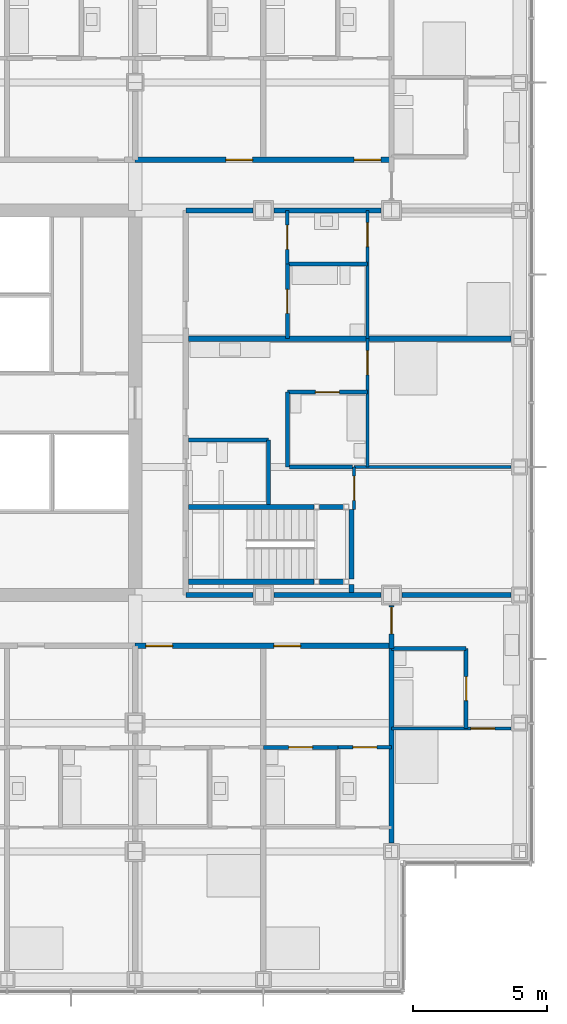
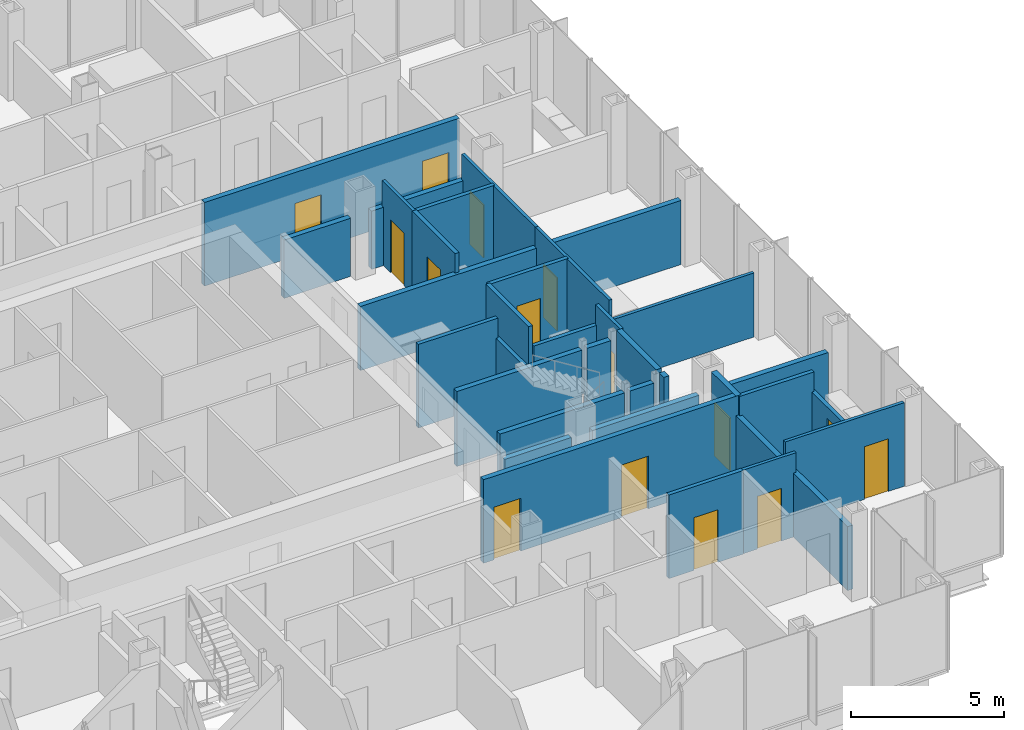
# One storey, part 17 of 22: 33 walls, 15 doors, 15 openings.
"""IFC4 building model written with IfcOpenShell, lengths in metres."""

from ifc_helpers import new_model, si_unit, direction, frame, frame_2d, origin, place, context, subcontext, project, spatial, rectangle, extrude, material, layer, layer_set, type_object, element, fill, save


model = new_model("IFC4")

# Units and contexts
model_context = context("Model", 3, precision=1e-05, world=origin(), true_north=direction((0.0, 1.0)))
body_context = subcontext(model_context, "Body", "Model", "MODEL_VIEW")
ifc_project = project(units=[si_unit("LENGTHUNIT", "METRE"), si_unit("AREAUNIT", "SQUARE_METRE"), si_unit("VOLUMEUNIT", "CUBIC_METRE"), si_unit("PLANEANGLEUNIT", "RADIAN"), si_unit("MASSUNIT", "GRAM", prefix="KILO")], contexts=[model_context])

# Site, building, storey
site_placement = place(None, origin())
site = spatial("IfcSite", under=ifc_project, at=site_placement, CompositionType="ELEMENT")
building_placement = place(site_placement, origin())
building = spatial("IfcBuilding", under=site, at=building_placement, Name="Kvirike Care Tower", CompositionType="ELEMENT")
storey_placement = place(building_placement, frame((0.0, 0.0, 72.5)))
storey = spatial("IfcBuildingStorey", under=building, at=storey_placement, Name="L19", CompositionType="ELEMENT", Elevation=72.5)

# Wall, opening, door
ifc_material_1 = material(Name="Moisture-resistant board partition", Category="gypsum")
ifc_layer_1 = layer(ifc_material_1, 0.14990234375)
ifc_layer_set_1 = layer_set([ifc_layer_1], Name="BATHROOM WALL 150")
wall_type_1 = type_object("IfcWallType", Name="BATHROOM WALL 150", PredefinedType="PARTITIONING", material=ifc_layer_set_1)
wall_1_placement = place(storey_placement, frame((33.60009765625, 23.10009765625, 0.0), z_axis=(0.0, 0.0, 1.0), x_axis=(1.0, 0.0, 0.0)))
wall_1 = element("IfcWall", 1, at=wall_1_placement, inside=storey, type_object=wall_type_1, Name="Bathroom Wall 150 L19", PredefinedType="PARTITIONING", context=body_context, shape_type="SweptSolid", body=[
    extrude(rectangle(XDim=2.7998046875, YDim=0.14990234375, at=frame_2d((1.39990234375, 0.0))), origin(), (0.0, 0.0, 1.0), 3.330078125),
])
opening_1_placement = place(wall_1_placement, frame((0.949951171875, 0.0, 0.0)))
opening_1 = element("IfcOpeningElement", 2, at=opening_1_placement, cuts=wall_1, Name="Opening 19-058", PredefinedType="OPENING", context=body_context, shape_type="SweptSolid", body=[
    extrude(rectangle(XDim=0.89990234375, YDim=2.10009765625, at=frame_2d((0.449951171875, 1.050048828125))), frame((0.0, 0.08544921875, 0.0), z_axis=(0.0, -1.0, 0.0), x_axis=(1.0, 0.0, 0.0)), (0.0, 0.0, 1.0), 0.1708984375),
])
ifc_material_2 = material(Name="Timber door set", Category="wood")
door_type_1 = type_object("IfcDoorType", Name="BATHROOM DOOR 900", OperationType="SINGLE_SWING_RIGHT", PredefinedType="DOOR", material=ifc_material_2)
door_1_placement = place(opening_1_placement, frame((0.89990234375, 0.0, 0.0), z_axis=(0.0, 0.0, 1.0), x_axis=(-1.0, 0.0, 0.0)))
door_1 = element("IfcDoor", 3, at=door_1_placement, inside=storey, type_object=door_type_1, Name="Bathroom door", OperationType="SINGLE_SWING_LEFT", OverallHeight=2.10009765625, OverallWidth=0.89990234375, PredefinedType="DOOR", context=body_context, shape_type="SweptSolid", body=[
    extrude(rectangle(XDim=0.89990234375, YDim=2.10009765625, at=frame_2d((0.449951171875, 1.050048828125))), frame((0.0, 0.02197265625, 0.0), z_axis=(0.0, -1.0, 0.0), x_axis=(1.0, 0.0, 0.0)), (0.0, 0.0, 1.0), 0.0439453125),
])
fill(opening_1, door_1)

wall_2_placement = place(storey_placement, frame((41.199951171875, 23.800048828125, 0.0), z_axis=(0.0, 0.0, 1.0), x_axis=(0.0, 1.0, 0.0)))
wall_2 = element("IfcWall", 4, at=wall_2_placement, inside=storey, type_object=wall_type_1, Name="Bathroom Wall 150 L19", PredefinedType="PARTITIONING", context=body_context, shape_type="SweptSolid", body=[
    extrude(rectangle(XDim=3.0, YDim=0.14990234375, at=frame_2d((1.5, 0.0))), origin(), (0.0, 0.0, 1.0), 2.550048828125),
])
opening_2_placement = place(wall_2_placement, frame((1.050048828125, 0.0, 0.0)))
opening_2 = element("IfcOpeningElement", 5, at=opening_2_placement, cuts=wall_2, Name="Opening 19-061", PredefinedType="OPENING", context=body_context, shape_type="SweptSolid", body=[
    extrude(rectangle(XDim=0.89990234375, YDim=2.10009765625, at=frame_2d((0.449951171875, 1.050048828125))), frame((0.0, 0.08544921875, 0.0), z_axis=(0.0, -1.0, 0.0), x_axis=(1.0, 0.0, 0.0)), (0.0, 0.0, 1.0), 0.1708984375),
])
door_2_placement = place(opening_2_placement, origin())
door_2 = element("IfcDoor", 6, at=door_2_placement, inside=storey, type_object=door_type_1, Name="Bathroom door", OperationType="SINGLE_SWING_RIGHT", OverallHeight=2.10009765625, OverallWidth=0.89990234375, PredefinedType="DOOR", context=body_context, shape_type="SweptSolid", body=[
    extrude(rectangle(XDim=0.89990234375, YDim=2.10009765625, at=frame_2d((0.449951171875, 1.050048828125))), frame((0.0, 0.02197265625, 0.0), z_axis=(0.0, -1.0, 0.0), x_axis=(1.0, 0.0, 0.0)), (0.0, 0.0, 1.0), 0.0439453125),
])
fill(opening_2, door_2)

# Walls
wall_3_placement = place(storey_placement, frame((38.39990234375, 26.800048828125, 0.0), z_axis=(0.0, 0.0, 1.0), x_axis=(1.0, 0.0, 0.0)))
element("IfcWall", 7, at=wall_3_placement, inside=storey, type_object=wall_type_1, Name="Bathroom Wall 150 L19", PredefinedType="PARTITIONING", context=body_context, shape_type="SweptSolid", body=[
    extrude(rectangle(XDim=2.800048828125, YDim=0.14990234375, at=frame_2d((1.39990234375, 0.0))), origin(), (0.0, 0.0, 1.0), 3.330078125),
])
wall_4_placement = place(storey_placement, frame((33.800048828125, 32.199951171875, 0.0), z_axis=(0.0, 0.0, 1.0), x_axis=(0.0, 1.0, 0.0)))
element("IfcWall", 8, at=wall_4_placement, inside=storey, type_object=wall_type_1, Name="Bathroom Wall 150 L19", PredefinedType="PARTITIONING", context=body_context, shape_type="SweptSolid", body=[
    extrude(rectangle(XDim=2.400146484375, YDim=0.14990234375, at=frame_2d((1.2001953125, 0.0))), origin(), (0.0, 0.0, 1.0), 2.550048828125),
])
wall_5_placement = place(storey_placement, frame((33.800048828125, 34.60009765625, 0.0), z_axis=(0.0, 0.0, 1.0), x_axis=(-1.0, 0.0, 0.0)))
element("IfcWall", 9, at=wall_5_placement, inside=storey, type_object=wall_type_1, Name="Bathroom Wall 150 L19", PredefinedType="PARTITIONING", context=body_context, shape_type="SweptSolid", body=[
    extrude(rectangle(XDim=3.0, YDim=0.14990234375, at=frame_2d((1.5, 0.0))), origin(), (0.0, 0.0, 1.0), 3.330078125),
])

# Wall, opening, door
wall_6_placement = place(storey_placement, frame((37.5, 36.39990234375, 0.0), z_axis=(0.0, 0.0, 1.0), x_axis=(-1.0, 0.0, 0.0)))
wall_6 = element("IfcWall", 10, at=wall_6_placement, inside=storey, type_object=wall_type_1, Name="Bathroom Wall 150 L19", PredefinedType="PARTITIONING", context=body_context, shape_type="SweptSolid", body=[
    extrude(rectangle(XDim=3.0, YDim=0.14990234375, at=frame_2d((1.5, 0.0))), origin(), (0.0, 0.0, 1.0), 3.330078125),
])
opening_3_placement = place(wall_6_placement, frame((1.050048828125, 0.0, 0.0)))
opening_3 = element("IfcOpeningElement", 11, at=opening_3_placement, cuts=wall_6, Name="Opening 19-066", PredefinedType="OPENING", context=body_context, shape_type="SweptSolid", body=[
    extrude(rectangle(XDim=0.89990234375, YDim=2.10009765625, at=frame_2d((0.449951171875, 1.050048828125))), frame((0.0, 0.08544921875, 0.0), z_axis=(0.0, -1.0, 0.0), x_axis=(1.0, 0.0, 0.0)), (0.0, 0.0, 1.0), 0.1708984375),
])
door_3_placement = place(opening_3_placement, origin())
door_3 = element("IfcDoor", 12, at=door_3_placement, inside=storey, type_object=door_type_1, Name="Bathroom door", OperationType="SINGLE_SWING_LEFT", OverallHeight=2.10009765625, OverallWidth=0.89990234375, PredefinedType="DOOR", context=body_context, shape_type="SweptSolid", body=[
    extrude(rectangle(XDim=0.89990234375, YDim=2.10009765625, at=frame_2d((0.449951171875, 1.050048828125))), frame((0.0, 0.02197265625, 0.0), z_axis=(0.0, -1.0, 0.0), x_axis=(1.0, 0.0, 0.0)), (0.0, 0.0, 1.0), 0.0439453125),
])
fill(opening_3, door_3)

# Walls
wall_7_placement = place(storey_placement, frame((34.5, 33.60009765625, 0.0), z_axis=(0.0, 0.0, 1.0), x_axis=(0.0, 1.0, 0.0)))
element("IfcWall", 13, at=wall_7_placement, inside=storey, type_object=wall_type_1, Name="Bathroom Wall 150 L19", PredefinedType="PARTITIONING", context=body_context, shape_type="SweptSolid", body=[
    extrude(rectangle(XDim=2.7998046875, YDim=0.14990234375, at=frame_2d((1.39990234375, 0.0))), origin(), (0.0, 0.0, 1.0), 3.330078125),
])
wall_8_placement = place(storey_placement, frame((37.5, 41.199951171875, 0.0), z_axis=(0.0, 0.0, 1.0), x_axis=(-1.0, 0.0, 0.0)))
element("IfcWall", 14, at=wall_8_placement, inside=storey, type_object=wall_type_1, Name="Bathroom Wall 150 L19", PredefinedType="PARTITIONING", context=body_context, shape_type="SweptSolid", body=[
    extrude(rectangle(XDim=3.0, YDim=0.14990234375, at=frame_2d((1.5, 0.0))), origin(), (0.0, 0.0, 1.0), 3.330078125),
])

# Wall, opening, door
wall_9_placement = place(storey_placement, frame((34.5, 38.39990234375, 0.0), z_axis=(0.0, 0.0, 1.0), x_axis=(0.0, 1.0, 0.0)))
wall_9 = element("IfcWall", 15, at=wall_9_placement, inside=storey, type_object=wall_type_1, Name="Bathroom Wall 150 L19", PredefinedType="PARTITIONING", context=body_context, shape_type="SweptSolid", body=[
    extrude(rectangle(XDim=2.800048828125, YDim=0.14990234375, at=frame_2d((1.39990234375, 0.0))), origin(), (0.0, 0.0, 1.0), 3.330078125),
])
opening_4_placement = place(wall_9_placement, frame((0.949951171875, 0.0, 0.0)))
opening_4 = element("IfcOpeningElement", 16, at=opening_4_placement, cuts=wall_9, Name="Opening 19-069", PredefinedType="OPENING", context=body_context, shape_type="SweptSolid", body=[
    extrude(rectangle(XDim=0.89990234375, YDim=2.10009765625, at=frame_2d((0.449951171875, 1.050048828125))), frame((0.0, 0.08544921875, 0.0), z_axis=(0.0, -1.0, 0.0), x_axis=(1.0, 0.0, 0.0)), (0.0, 0.0, 1.0), 0.1708984375),
])
door_4_placement = place(opening_4_placement, frame((0.89990234375, 0.0, 0.0), z_axis=(0.0, 0.0, 1.0), x_axis=(-1.0, 0.0, 0.0)))
door_4 = element("IfcDoor", 17, at=door_4_placement, inside=storey, type_object=door_type_1, Name="Bathroom door", OperationType="SINGLE_SWING_LEFT", OverallHeight=2.10009765625, OverallWidth=0.89990234375, PredefinedType="DOOR", context=body_context, shape_type="SweptSolid", body=[
    extrude(rectangle(XDim=0.89990234375, YDim=2.10009765625, at=frame_2d((0.449951171875, 1.050048828125))), frame((0.0, 0.02197265625, 0.0), z_axis=(0.0, -1.0, 0.0), x_axis=(1.0, 0.0, 0.0)), (0.0, 0.0, 1.0), 0.0439453125),
])
fill(opening_4, door_4)

# Wall
wall_10_placement = place(storey_placement, frame((36.93994140625, 33.60009765625, 0.0), z_axis=(0.0, 0.0, 1.0), x_axis=(-1.0, 0.0, 0.0)))
element("IfcWall", 18, at=wall_10_placement, inside=storey, type_object=wall_type_1, Name="Bathroom Wall 150 L19", PredefinedType="PARTITIONING", context=body_context, shape_type="SweptSolid", body=[
    extrude(rectangle(XDim=2.364990234375, YDim=0.14990234375, at=frame_2d((1.1826171875, 0.0))), origin(), (0.0, 0.0, 1.0), 2.550048828125),
])

# Wall, openings, doors
ifc_material_3 = material(Name="Plasterboard corridor wall", Category="gypsum")
ifc_layer_2 = layer(ifc_material_3, 0.199951171875)
ifc_layer_set_2 = layer_set([ifc_layer_2], Name="CORRIDOR WALL 200")
wall_type_2 = type_object("IfcWallType", Name="CORRIDOR WALL 200", PredefinedType="PARTITIONING", material=ifc_layer_set_2)
wall_11_placement = place(storey_placement, frame((28.800048828125, 26.89990234375, 0.0), z_axis=(0.0, 0.0, 1.0), x_axis=(1.0, 0.0, 0.0)))
wall_11 = element("IfcWall", 19, at=wall_11_placement, inside=storey, type_object=wall_type_2, Name="Corridor Wall 200 L19", PredefinedType="PARTITIONING", context=body_context, shape_type="SweptSolid", body=[
    extrude(rectangle(XDim=9.599853515625, YDim=0.199951171875, at=frame_2d((4.7998046875, 0.0))), origin(), (0.0, 0.0, 1.0), 3.330078125),
])
opening_5_placement = place(wall_11_placement, frame((0.39990234375, 0.0, 0.0)))
opening_5 = element("IfcOpeningElement", 20, at=opening_5_placement, cuts=wall_11, Name="Opening 19-063", PredefinedType="OPENING", context=body_context, shape_type="SweptSolid", body=[
    extrude(rectangle(XDim=1.0, YDim=2.10009765625, at=frame_2d((0.5, 1.050048828125))), frame((0.0, 0.110595703125, 0.0), z_axis=(0.0, -1.0, 0.0), x_axis=(1.0, 0.0, 0.0)), (0.0, 0.0, 1.0), 0.220947265625),
])
opening_6_placement = place(wall_11_placement, frame((5.199951171875, 0.0, 0.0)))
opening_6 = element("IfcOpeningElement", 21, at=opening_6_placement, cuts=wall_11, Name="Opening 19-064", PredefinedType="OPENING", context=body_context, shape_type="SweptSolid", body=[
    extrude(rectangle(XDim=1.0, YDim=2.10009765625, at=frame_2d((0.5, 1.050048828125))), frame((0.0, 0.110595703125, 0.0), z_axis=(0.0, -1.0, 0.0), x_axis=(1.0, 0.0, 0.0)), (0.0, 0.0, 1.0), 0.220947265625),
])
ifc_material_4 = material(Name="Timber door set", Category="wood")
door_type_2 = type_object("IfcDoorType", Name="FLAT ENTRANCE DOOR 1000", OperationType="SINGLE_SWING_LEFT", PredefinedType="DOOR", material=ifc_material_4)
door_5_placement = place(opening_5_placement, frame((1.0, 0.0, 0.0), z_axis=(0.0, 0.0, 1.0), x_axis=(-1.0, 0.0, 0.0)))
door_5 = element("IfcDoor", 22, at=door_5_placement, inside=storey, type_object=door_type_2, Name="Studio apartment entrance", OperationType="SINGLE_SWING_RIGHT", OverallHeight=2.10009765625, OverallWidth=1.0, PredefinedType="DOOR", context=body_context, shape_type="SweptSolid", body=[
    extrude(rectangle(XDim=1.0, YDim=2.10009765625, at=frame_2d((0.5, 1.050048828125))), frame((0.0, 0.02685546875, 0.0), z_axis=(0.0, -1.0, 0.0), x_axis=(1.0, 0.0, 0.0)), (0.0, 0.0, 1.0), 0.053955078125),
])
fill(opening_5, door_5)
door_6_placement = place(opening_6_placement, frame((1.0, 0.0, 0.0), z_axis=(0.0, 0.0, 1.0), x_axis=(-1.0, 0.0, 0.0)))
door_6 = element("IfcDoor", 23, at=door_6_placement, inside=storey, type_object=door_type_2, Name="Studio apartment entrance", OperationType="SINGLE_SWING_LEFT", OverallHeight=2.10009765625, OverallWidth=1.0, PredefinedType="DOOR", context=body_context, shape_type="SweptSolid", body=[
    extrude(rectangle(XDim=1.0, YDim=2.10009765625, at=frame_2d((0.5, 1.050048828125))), frame((0.0, 0.02685546875, 0.0), z_axis=(0.0, -1.0, 0.0), x_axis=(1.0, 0.0, 0.0)), (0.0, 0.0, 1.0), 0.053955078125),
])
fill(opening_6, door_6)

# Wall, opening, door
wall_12_placement = place(storey_placement, frame((38.39990234375, 26.800048828125, 0.0), z_axis=(0.0, 0.0, 1.0), x_axis=(0.0, 1.0, 0.0)))
wall_12 = element("IfcWall", 24, at=wall_12_placement, inside=storey, type_object=wall_type_2, Name="Corridor Wall 200 L19", PredefinedType="PARTITIONING", context=body_context, shape_type="SweptSolid", body=[
    extrude(rectangle(XDim=1.60498046875, YDim=0.199951171875, at=frame_2d((0.802490234375, 0.0))), origin(), (0.0, 0.0, 1.0), 3.330078125),
])
opening_7_placement = place(wall_12_placement, frame((0.550048828125, 0.0, 0.0)))
opening_7 = element("IfcOpeningElement", 25, at=opening_7_placement, cuts=wall_12, Name="Opening 19-065", PredefinedType="OPENING", context=body_context, shape_type="SweptSolid", body=[
    extrude(rectangle(XDim=1.0, YDim=2.10009765625, at=frame_2d((0.5, 1.050048828125))), frame((0.0, 0.110595703125, 0.0), z_axis=(0.0, -1.0, 0.0), x_axis=(1.0, 0.0, 0.0)), (0.0, 0.0, 1.0), 0.220947265625),
])
door_7_placement = place(opening_7_placement, frame((1.0, 0.0, 0.0), z_axis=(0.0, 0.0, 1.0), x_axis=(-1.0, 0.0, 0.0)))
door_7 = element("IfcDoor", 26, at=door_7_placement, inside=storey, type_object=door_type_2, Name="Studio apartment entrance", OperationType="SINGLE_SWING_RIGHT", OverallHeight=2.10009765625, OverallWidth=1.0, PredefinedType="DOOR", context=body_context, shape_type="SweptSolid", body=[
    extrude(rectangle(XDim=1.0, YDim=2.10009765625, at=frame_2d((0.5, 1.050048828125))), frame((0.0, 0.02685546875, 0.0), z_axis=(0.0, -1.0, 0.0), x_axis=(1.0, 0.0, 0.0)), (0.0, 0.0, 1.0), 0.053955078125),
])
fill(opening_7, door_7)

# Wall, openings, doors
wall_13_placement = place(storey_placement, frame((38.39990234375, 45.10009765625, 0.0), z_axis=(0.0, 0.0, 1.0), x_axis=(-1.0, 0.0, 0.0)))
wall_13 = element("IfcWall", 27, at=wall_13_placement, inside=storey, type_object=wall_type_2, Name="Corridor Wall 200 L19", PredefinedType="PARTITIONING", context=body_context, shape_type="SweptSolid", body=[
    extrude(rectangle(XDim=9.599853515625, YDim=0.199951171875, at=frame_2d((4.7998046875, 0.0))), origin(), (0.0, 0.0, 1.0), 3.330078125),
])
opening_8_placement = place(wall_13_placement, frame((0.39990234375, 0.0, 0.0)))
opening_8 = element("IfcOpeningElement", 28, at=opening_8_placement, cuts=wall_13, Name="Opening 19-084", PredefinedType="OPENING", context=body_context, shape_type="SweptSolid", body=[
    extrude(rectangle(XDim=1.0, YDim=2.10009765625, at=frame_2d((0.5, 1.050048828125))), frame((0.0, 0.110595703125, 0.0), z_axis=(0.0, -1.0, 0.0), x_axis=(1.0, 0.0, 0.0)), (0.0, 0.0, 1.0), 0.220947265625),
])
opening_9_placement = place(wall_13_placement, frame((5.199951171875, 0.0, 0.0)))
opening_9 = element("IfcOpeningElement", 29, at=opening_9_placement, cuts=wall_13, Name="Opening 19-085", PredefinedType="OPENING", context=body_context, shape_type="SweptSolid", body=[
    extrude(rectangle(XDim=1.0, YDim=2.10009765625, at=frame_2d((0.5, 1.050048828125))), frame((0.0, 0.110595703125, 0.0), z_axis=(0.0, -1.0, 0.0), x_axis=(1.0, 0.0, 0.0)), (0.0, 0.0, 1.0), 0.220947265625),
])
door_8_placement = place(opening_8_placement, frame((1.0, 0.0, 0.0), z_axis=(0.0, 0.0, 1.0), x_axis=(-1.0, 0.0, 0.0)))
door_8 = element("IfcDoor", 30, at=door_8_placement, inside=storey, type_object=door_type_2, Name="Studio apartment entrance", OperationType="SINGLE_SWING_LEFT", OverallHeight=2.10009765625, OverallWidth=1.0, PredefinedType="DOOR", context=body_context, shape_type="SweptSolid", body=[
    extrude(rectangle(XDim=1.0, YDim=2.10009765625, at=frame_2d((0.5, 1.050048828125))), frame((0.0, 0.02685546875, 0.0), z_axis=(0.0, -1.0, 0.0), x_axis=(1.0, 0.0, 0.0)), (0.0, 0.0, 1.0), 0.053955078125),
])
fill(opening_8, door_8)
door_9_placement = place(opening_9_placement, frame((1.0, 0.0, 0.0), z_axis=(0.0, 0.0, 1.0), x_axis=(-1.0, 0.0, 0.0)))
door_9 = element("IfcDoor", 31, at=door_9_placement, inside=storey, type_object=door_type_2, Name="Studio apartment entrance", OperationType="SINGLE_SWING_LEFT", OverallHeight=2.10009765625, OverallWidth=1.0, PredefinedType="DOOR", context=body_context, shape_type="SweptSolid", body=[
    extrude(rectangle(XDim=1.0, YDim=2.10009765625, at=frame_2d((0.5, 1.050048828125))), frame((0.0, 0.02685546875, 0.0), z_axis=(0.0, -1.0, 0.0), x_axis=(1.0, 0.0, 0.0)), (0.0, 0.0, 1.0), 0.053955078125),
])
fill(opening_9, door_9)

# Wall, opening, door
ifc_material_5 = material(Name="Plasterboard partition", Category="gypsum")
ifc_layer_3 = layer(ifc_material_5, 0.1201171875)
ifc_layer_set_3 = layer_set([ifc_layer_3], Name="PARTITION 120")
wall_type_3 = type_object("IfcWallType", Name="PARTITION 120", PredefinedType="PARTITIONING", material=ifc_layer_set_3)
wall_14_placement = place(storey_placement, frame((36.39990234375, 23.10009765625, 0.0), z_axis=(0.0, 0.0, 1.0), x_axis=(1.0, 0.0, 0.0)))
wall_14 = element("IfcWall", 32, at=wall_14_placement, inside=storey, type_object=wall_type_3, Name="Partition 120 L19", PredefinedType="PARTITIONING", context=body_context, shape_type="SweptSolid", body=[
    extrude(rectangle(XDim=2.0, YDim=0.1201171875, at=frame_2d((1.0, 0.0))), origin(), (0.0, 0.0, 1.0), 3.330078125),
])
opening_10_placement = place(wall_14_placement, frame((0.550048828125, 0.0, 0.0)))
opening_10 = element("IfcOpeningElement", 33, at=opening_10_placement, cuts=wall_14, Name="Opening 19-059", PredefinedType="OPENING", context=body_context, shape_type="SweptSolid", body=[
    extrude(rectangle(XDim=0.89990234375, YDim=2.10009765625, at=frame_2d((0.449951171875, 1.050048828125))), frame((0.0, 0.070556640625, 0.0), z_axis=(0.0, -1.0, 0.0), x_axis=(1.0, 0.0, 0.0)), (0.0, 0.0, 1.0), 0.14111328125),
])
ifc_material_6 = material(Name="Timber door set", Category="wood")
door_type_3 = type_object("IfcDoorType", Name="INTERNAL DOOR 900", OperationType="SINGLE_SWING_LEFT", PredefinedType="DOOR", material=ifc_material_6)
door_10_placement = place(opening_10_placement, frame((0.89990234375, 0.0, 0.0), z_axis=(0.0, 0.0, 1.0), x_axis=(-1.0, 0.0, 0.0)))
door_10 = element("IfcDoor", 34, at=door_10_placement, inside=storey, type_object=door_type_3, Name="Kitchen door", OperationType="SINGLE_SWING_LEFT", OverallHeight=2.10009765625, OverallWidth=0.89990234375, PredefinedType="DOOR", context=body_context, shape_type="SweptSolid", body=[
    extrude(rectangle(XDim=0.89990234375, YDim=2.10009765625, at=frame_2d((0.449951171875, 1.050048828125))), frame((0.0, 0.02197265625, 0.0), z_axis=(0.0, -1.0, 0.0), x_axis=(1.0, 0.0, 0.0)), (0.0, 0.0, 1.0), 0.0439453125),
])
fill(opening_10, door_10)

wall_15_placement = place(storey_placement, frame((38.39990234375, 23.800048828125, 0.0), z_axis=(0.0, 0.0, 1.0), x_axis=(1.0, 0.0, 0.0)))
wall_15 = element("IfcWall", 35, at=wall_15_placement, inside=storey, type_object=wall_type_3, Name="Partition 120 L19", PredefinedType="PARTITIONING", context=body_context, shape_type="SweptSolid", body=[
    extrude(rectangle(XDim=4.47998046875, YDim=0.1201171875, at=frame_2d((2.239990234375, 0.0))), origin(), (0.0, 0.0, 1.0), 3.330078125),
])
opening_11_placement = place(wall_15_placement, frame((2.97509765625, 0.0, 0.0)))
opening_11 = element("IfcOpeningElement", 36, at=opening_11_placement, cuts=wall_15, Name="Opening 19-062", PredefinedType="OPENING", context=body_context, shape_type="SweptSolid", body=[
    extrude(rectangle(XDim=0.89990234375, YDim=2.10009765625, at=frame_2d((0.449951171875, 1.050048828125))), frame((0.0, 0.070556640625, 0.0), z_axis=(0.0, -1.0, 0.0), x_axis=(1.0, 0.0, 0.0)), (0.0, 0.0, 1.0), 0.14111328125),
])
door_11_placement = place(opening_11_placement, origin())
door_11 = element("IfcDoor", 37, at=door_11_placement, inside=storey, type_object=door_type_3, Name="Studio apartment living room door", OperationType="SINGLE_SWING_RIGHT", OverallHeight=2.10009765625, OverallWidth=0.89990234375, PredefinedType="DOOR", context=body_context, shape_type="SweptSolid", body=[
    extrude(rectangle(XDim=0.89990234375, YDim=2.10009765625, at=frame_2d((0.449951171875, 1.050048828125))), frame((0.0, 0.02197265625, 0.0), z_axis=(0.0, -1.0, 0.0), x_axis=(1.0, 0.0, 0.0)), (0.0, 0.0, 1.0), 0.0439453125),
])
fill(opening_11, door_11)

wall_16_placement = place(storey_placement, frame((37.0, 32.0, 0.0), z_axis=(0.0, 0.0, 1.0), x_axis=(0.0, 1.0, 0.0)))
wall_16 = element("IfcWall", 38, at=wall_16_placement, inside=storey, type_object=wall_type_3, Name="Partition 120 L19", PredefinedType="PARTITIONING", context=body_context, shape_type="SweptSolid", body=[
    extrude(rectangle(XDim=1.60009765625, YDim=0.1201171875, at=frame_2d((0.800048828125, 0.0))), origin(), (0.0, 0.0, 1.0), 3.330078125),
])
opening_12_placement = place(wall_16_placement, frame((0.35009765625, 0.0, 0.0)))
opening_12 = element("IfcOpeningElement", 39, at=opening_12_placement, cuts=wall_16, Name="Opening 19-067", PredefinedType="OPENING", context=body_context, shape_type="SweptSolid", body=[
    extrude(rectangle(XDim=0.89990234375, YDim=2.10009765625, at=frame_2d((0.449951171875, 1.050048828125))), frame((0.0, 0.070556640625, 0.0), z_axis=(0.0, -1.0, 0.0), x_axis=(1.0, 0.0, 0.0)), (0.0, 0.0, 1.0), 0.14111328125),
])
door_12_placement = place(opening_12_placement, origin())
door_12 = element("IfcDoor", 40, at=door_12_placement, inside=storey, type_object=door_type_3, Name="Apartment living room door", OperationType="SINGLE_SWING_RIGHT", OverallHeight=2.10009765625, OverallWidth=0.89990234375, PredefinedType="DOOR", context=body_context, shape_type="SweptSolid", body=[
    extrude(rectangle(XDim=0.89990234375, YDim=2.10009765625, at=frame_2d((0.449951171875, 1.050048828125))), frame((0.0, 0.02197265625, 0.0), z_axis=(0.0, -1.0, 0.0), x_axis=(1.0, 0.0, 0.0)), (0.0, 0.0, 1.0), 0.0439453125),
])
fill(opening_12, door_12)

wall_17_placement = place(storey_placement, frame((37.5, 33.60009765625, 0.0), z_axis=(0.0, 0.0, 1.0), x_axis=(0.0, 1.0, 0.0)))
wall_17 = element("IfcWall", 41, at=wall_17_placement, inside=storey, type_object=wall_type_3, Name="Partition 120 L19", PredefinedType="PARTITIONING", context=body_context, shape_type="SweptSolid", body=[
    extrude(rectangle(XDim=4.7998046875, YDim=0.1201171875, at=frame_2d((2.39990234375, 0.0))), origin(), (0.0, 0.0, 1.0), 3.330078125),
])
opening_13_placement = place(wall_17_placement, frame((3.449951171875, 0.0, 0.0)))
opening_13 = element("IfcOpeningElement", 42, at=opening_13_placement, cuts=wall_17, Name="Opening 19-068", PredefinedType="OPENING", context=body_context, shape_type="SweptSolid", body=[
    extrude(rectangle(XDim=0.89990234375, YDim=2.10009765625, at=frame_2d((0.449951171875, 1.050048828125))), frame((0.0, 0.070556640625, 0.0), z_axis=(0.0, -1.0, 0.0), x_axis=(1.0, 0.0, 0.0)), (0.0, 0.0, 1.0), 0.14111328125),
])
door_13_placement = place(opening_13_placement, origin())
door_13 = element("IfcDoor", 43, at=door_13_placement, inside=storey, type_object=door_type_3, Name="Apartment bedroom door", OperationType="SINGLE_SWING_LEFT", OverallHeight=2.10009765625, OverallWidth=0.89990234375, PredefinedType="DOOR", context=body_context, shape_type="SweptSolid", body=[
    extrude(rectangle(XDim=0.89990234375, YDim=2.10009765625, at=frame_2d((0.449951171875, 1.050048828125))), frame((0.0, 0.02197265625, 0.0), z_axis=(0.0, -1.0, 0.0), x_axis=(1.0, 0.0, 0.0)), (0.0, 0.0, 1.0), 0.0439453125),
])
fill(opening_13, door_13)

# Wall
wall_18_placement = place(storey_placement, frame((42.8798828125, 33.60009765625, 0.0), z_axis=(0.0, 0.0, 1.0), x_axis=(-1.0, 0.0, 0.0)))
element("IfcWall", 44, at=wall_18_placement, inside=storey, type_object=wall_type_3, Name="Partition 120 L19", PredefinedType="PARTITIONING", context=body_context, shape_type="SweptSolid", body=[
    extrude(rectangle(XDim=5.8798828125, YDim=0.1201171875, at=frame_2d((2.93994140625, 0.0))), origin(), (0.0, 0.0, 1.0), 2.550048828125),
])

# Wall, opening, door
wall_19_placement = place(storey_placement, frame((34.5, 41.199951171875, 0.0), z_axis=(0.0, 0.0, 1.0), x_axis=(0.0, 1.0, 0.0)))
wall_19 = element("IfcWall", 45, at=wall_19_placement, inside=storey, type_object=wall_type_3, Name="Partition 120 L19", PredefinedType="PARTITIONING", context=body_context, shape_type="SweptSolid", body=[
    extrude(rectangle(XDim=2.0, YDim=0.1201171875, at=frame_2d((1.0, 0.0))), origin(), (0.0, 0.0, 1.0), 3.330078125),
])
opening_14_placement = place(wall_19_placement, frame((0.550048828125, 0.0, 0.0)))
opening_14 = element("IfcOpeningElement", 46, at=opening_14_placement, cuts=wall_19, Name="Opening 19-070", PredefinedType="OPENING", context=body_context, shape_type="SweptSolid", body=[
    extrude(rectangle(XDim=0.89990234375, YDim=2.10009765625, at=frame_2d((0.449951171875, 1.050048828125))), frame((0.0, 0.070556640625, 0.0), z_axis=(0.0, -1.0, 0.0), x_axis=(1.0, 0.0, 0.0)), (0.0, 0.0, 1.0), 0.14111328125),
])
door_14_placement = place(opening_14_placement, frame((0.89990234375, 0.0, 0.0), z_axis=(0.0, 0.0, 1.0), x_axis=(-1.0, 0.0, 0.0)))
door_14 = element("IfcDoor", 47, at=door_14_placement, inside=storey, type_object=door_type_3, Name="Kitchen door", OperationType="SINGLE_SWING_RIGHT", OverallHeight=2.10009765625, OverallWidth=0.89990234375, PredefinedType="DOOR", context=body_context, shape_type="SweptSolid", body=[
    extrude(rectangle(XDim=0.89990234375, YDim=2.10009765625, at=frame_2d((0.449951171875, 1.050048828125))), frame((0.0, 0.02197265625, 0.0), z_axis=(0.0, -1.0, 0.0), x_axis=(1.0, 0.0, 0.0)), (0.0, 0.0, 1.0), 0.0439453125),
])
fill(opening_14, door_14)

wall_20_placement = place(storey_placement, frame((37.5, 38.39990234375, 0.0), z_axis=(0.0, 0.0, 1.0), x_axis=(0.0, 1.0, 0.0)))
wall_20 = element("IfcWall", 48, at=wall_20_placement, inside=storey, type_object=wall_type_3, Name="Partition 120 L19", PredefinedType="PARTITIONING", context=body_context, shape_type="SweptSolid", body=[
    extrude(rectangle(XDim=4.800048828125, YDim=0.1201171875, at=frame_2d((2.39990234375, 0.0))), origin(), (0.0, 0.0, 1.0), 3.330078125),
])
opening_15_placement = place(wall_20_placement, frame((3.449951171875, 0.0, 0.0)))
opening_15 = element("IfcOpeningElement", 49, at=opening_15_placement, cuts=wall_20, Name="Opening 19-071", PredefinedType="OPENING", context=body_context, shape_type="SweptSolid", body=[
    extrude(rectangle(XDim=0.89990234375, YDim=2.10009765625, at=frame_2d((0.449951171875, 1.050048828125))), frame((0.0, 0.070556640625, 0.0), z_axis=(0.0, -1.0, 0.0), x_axis=(1.0, 0.0, 0.0)), (0.0, 0.0, 1.0), 0.14111328125),
])
door_15_placement = place(opening_15_placement, origin())
door_15 = element("IfcDoor", 50, at=door_15_placement, inside=storey, type_object=door_type_3, Name="Studio apartment living room door", OperationType="SINGLE_SWING_LEFT", OverallHeight=2.10009765625, OverallWidth=0.89990234375, PredefinedType="DOOR", context=body_context, shape_type="SweptSolid", body=[
    extrude(rectangle(XDim=0.89990234375, YDim=2.10009765625, at=frame_2d((0.449951171875, 1.050048828125))), frame((0.0, 0.02197265625, 0.0), z_axis=(0.0, -1.0, 0.0), x_axis=(1.0, 0.0, 0.0)), (0.0, 0.0, 1.0), 0.0439453125),
])
fill(opening_15, door_15)

# Walls
ifc_material_7 = material(Name="Plasterboard party wall", Category="gypsum")
ifc_layer_4 = layer(ifc_material_7, 0.199951171875)
ifc_layer_set_4 = layer_set([ifc_layer_4], Name="PARTY WALL 200")
wall_type_4 = type_object("IfcWallType", Name="PARTY WALL 200", PredefinedType="PARTITIONING", material=ifc_layer_set_4)
wall_21_placement = place(storey_placement, frame((38.39990234375, 19.52001953125, 0.0), z_axis=(0.0, 0.0, 1.0), x_axis=(0.0, 1.0, 0.0)))
element("IfcWall", 51, at=wall_21_placement, inside=storey, type_object=wall_type_4, Name="Party Wall 200 L19", PredefinedType="PARTITIONING", context=body_context, shape_type="SweptSolid", body=[
    extrude(rectangle(XDim=7.280029296875, YDim=0.199951171875, at=frame_2d((3.64013671875, 0.0))), origin(), (0.0, 0.0, 1.0), 2.550048828125),
])
wall_22_placement = place(storey_placement, frame((42.8798828125, 38.39990234375, 0.0), z_axis=(0.0, 0.0, 1.0), x_axis=(-1.0, 0.0, 0.0)))
element("IfcWall", 52, at=wall_22_placement, inside=storey, type_object=wall_type_4, Name="Party Wall 200 L19", PredefinedType="PARTITIONING", context=body_context, shape_type="SweptSolid", body=[
    extrude(rectangle(XDim=12.079833984375, YDim=0.199951171875, at=frame_2d((6.0400390625, 0.0))), origin(), (0.0, 0.0, 1.0), 2.550048828125),
])
wall_23_placement = place(storey_placement, frame((42.8798828125, 28.800048828125, 0.0), z_axis=(0.0, 0.0, 1.0), x_axis=(-1.0, 0.0, 0.0)))
element("IfcWall", 53, at=wall_23_placement, inside=storey, type_object=wall_type_4, Name="Party Wall 200 L19", PredefinedType="PARTITIONING", context=body_context, shape_type="SweptSolid", body=[
    extrude(rectangle(XDim=4.0849609375, YDim=0.199951171875, at=frame_2d((2.04248046875, 0.0))), origin(), (0.0, 0.0, 1.0), 2.320068359375),
])
wall_24_placement = place(storey_placement, frame((38.0048828125, 28.800048828125, 0.0), z_axis=(0.0, 0.0, 1.0), x_axis=(-1.0, 0.0, 0.0)))
element("IfcWall", 54, at=wall_24_placement, inside=storey, type_object=wall_type_4, Name="Party Wall 200 L19", PredefinedType="PARTITIONING", context=body_context, shape_type="SweptSolid", body=[
    extrude(rectangle(XDim=4.009765625, YDim=0.199951171875, at=frame_2d((2.0048828125, 0.0))), origin(), (0.0, 0.0, 1.0), 2.320068359375),
])
wall_25_placement = place(storey_placement, frame((33.205078125, 28.800048828125, 0.0), z_axis=(0.0, 0.0, 1.0), x_axis=(-1.0, 0.0, 0.0)))
element("IfcWall", 55, at=wall_25_placement, inside=storey, type_object=wall_type_4, Name="Party Wall 200 L19", PredefinedType="PARTITIONING", context=body_context, shape_type="SweptSolid", body=[
    extrude(rectangle(XDim=2.505126953125, YDim=0.199951171875, at=frame_2d((1.25244140625, 0.0))), origin(), (0.0, 0.0, 1.0), 2.320068359375),
])
wall_26_placement = place(storey_placement, frame((38.0048828125, 43.199951171875, 0.0), z_axis=(0.0, 0.0, 1.0), x_axis=(-1.0, 0.0, 0.0)))
element("IfcWall", 56, at=wall_26_placement, inside=storey, type_object=wall_type_4, Name="Party Wall 200 L19", PredefinedType="PARTITIONING", context=body_context, shape_type="SweptSolid", body=[
    extrude(rectangle(XDim=4.009765625, YDim=0.199951171875, at=frame_2d((2.0048828125, 0.0))), origin(), (0.0, 0.0, 1.0), 2.320068359375),
])
wall_27_placement = place(storey_placement, frame((33.205078125, 43.199951171875, 0.0), z_axis=(0.0, 0.0, 1.0), x_axis=(-1.0, 0.0, 0.0)))
element("IfcWall", 57, at=wall_27_placement, inside=storey, type_object=wall_type_4, Name="Party Wall 200 L19", PredefinedType="PARTITIONING", context=body_context, shape_type="SweptSolid", body=[
    extrude(rectangle(XDim=2.505126953125, YDim=0.199951171875, at=frame_2d((1.25244140625, 0.0))), origin(), (0.0, 0.0, 1.0), 2.320068359375),
])
ifc_material_8 = material(Name="Concrete C40/50", Category="concrete")
ifc_layer_5 = layer(ifc_material_8, 0.199951171875)
ifc_layer_set_5 = layer_set([ifc_layer_5], Name="STAIR WALL 200")
wall_type_5 = type_object("IfcWallType", Name="STAIR WALL 200", PredefinedType="SOLIDWALL", material=ifc_layer_set_5)
wall_28_placement = place(storey_placement, frame((36.60009765625, 29.300048828125, 0.0), z_axis=(0.0, 0.0, 1.0), x_axis=(-1.0, 0.0, 0.0)))
element("IfcWall", 58, at=wall_28_placement, inside=storey, type_object=wall_type_5, Name="Stair Wall 200 L19", PredefinedType="SOLIDWALL", context=body_context, shape_type="SweptSolid", body=[
    extrude(rectangle(XDim=0.900146484375, YDim=0.199951171875, at=frame_2d((0.4501953125, 0.0))), origin(), (0.0, 0.0, 1.0), 2.989990234375),
])
wall_29_placement = place(storey_placement, frame((35.5, 29.300048828125, 0.0), z_axis=(0.0, 0.0, 1.0), x_axis=(-1.0, 0.0, 0.0)))
element("IfcWall", 59, at=wall_29_placement, inside=storey, type_object=wall_type_5, Name="Stair Wall 200 L19", PredefinedType="SOLIDWALL", context=body_context, shape_type="SweptSolid", body=[
    extrude(rectangle(XDim=4.699951171875, YDim=0.199951171875, at=frame_2d((2.35009765625, 0.0))), origin(), (0.0, 0.0, 1.0), 2.989990234375),
])
wall_30_placement = place(storey_placement, frame((36.60009765625, 32.10009765625, 0.0), z_axis=(0.0, 0.0, 1.0), x_axis=(-1.0, 0.0, 0.0)))
element("IfcWall", 60, at=wall_30_placement, inside=storey, type_object=wall_type_5, Name="Stair Wall 200 L19", PredefinedType="SOLIDWALL", context=body_context, shape_type="SweptSolid", body=[
    extrude(rectangle(XDim=0.900146484375, YDim=0.199951171875, at=frame_2d((0.4501953125, 0.0))), origin(), (0.0, 0.0, 1.0), 2.989990234375),
])
wall_31_placement = place(storey_placement, frame((35.5, 32.10009765625, 0.0), z_axis=(0.0, 0.0, 1.0), x_axis=(-1.0, 0.0, 0.0)))
element("IfcWall", 61, at=wall_31_placement, inside=storey, type_object=wall_type_5, Name="Stair Wall 200 L19", PredefinedType="SOLIDWALL", context=body_context, shape_type="SweptSolid", body=[
    extrude(rectangle(XDim=4.699951171875, YDim=0.199951171875, at=frame_2d((2.35009765625, 0.0))), origin(), (0.0, 0.0, 1.0), 2.989990234375),
])
wall_32_placement = place(storey_placement, frame((36.89990234375, 28.89990234375, 0.0), z_axis=(0.0, 0.0, 1.0), x_axis=(0.0, 1.0, 0.0)))
element("IfcWall", 62, at=wall_32_placement, inside=storey, type_object=wall_type_5, Name="Stair Wall 200 L19", PredefinedType="SOLIDWALL", context=body_context, shape_type="SweptSolid", body=[
    extrude(rectangle(XDim=0.300048828125, YDim=0.199951171875, at=frame_2d((0.14990234375, 0.0))), origin(), (0.0, 0.0, 1.0), 3.330078125),
])
wall_33_placement = place(storey_placement, frame((36.89990234375, 29.39990234375, 0.0), z_axis=(0.0, 0.0, 1.0), x_axis=(0.0, 1.0, 0.0)))
element("IfcWall", 63, at=wall_33_placement, inside=storey, type_object=wall_type_5, Name="Stair Wall 200 L19", PredefinedType="SOLIDWALL", context=body_context, shape_type="SweptSolid", body=[
    extrude(rectangle(XDim=2.60009765625, YDim=0.199951171875, at=frame_2d((1.300048828125, 0.0))), origin(), (0.0, 0.0, 1.0), 3.330078125),
])

save(model, "model.ifc")
